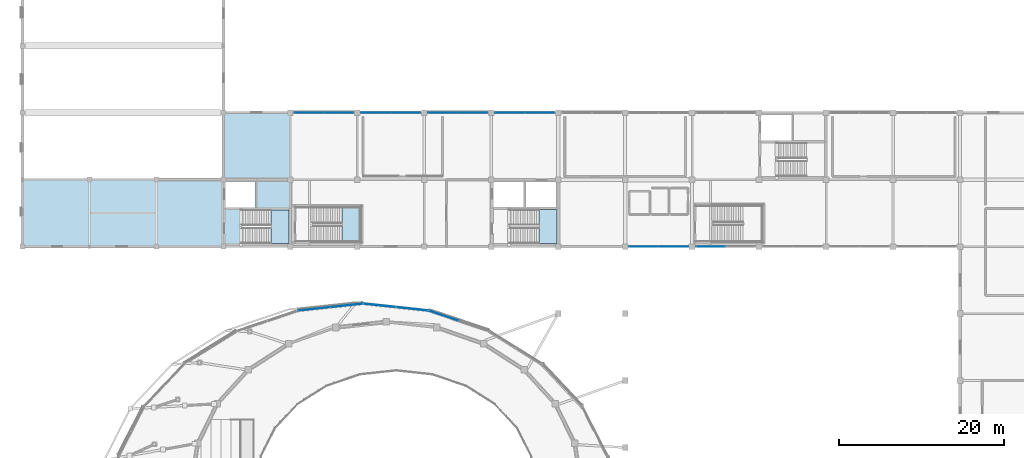
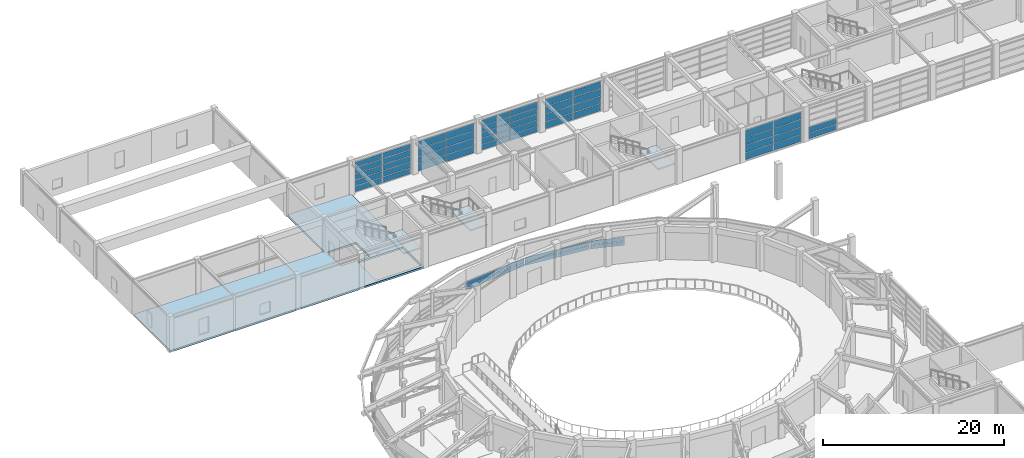
# One storey, part 38 of 58: 56 plates, 4 slabs, 12 elements without a shape of their own.
"""IFC4 building model written with IfcOpenShell, lengths in metres."""

from ifc_helpers import new_model, si_unit, direction, frame, origin, origin_2d, place, context, subcontext, project, spatial, polyline, rectangle, outline, extrude, material, layer, layer_set, type_object, element, aggregate, save


model = new_model("IFC4")

# Units and contexts
model_context = context("Model", 3, precision=1e-05, world=origin(), true_north=direction((0.0, 1.0)))
body_context = subcontext(model_context, "Body", "Model", "MODEL_VIEW")
ifc_project = project(units=[si_unit("LENGTHUNIT", "METRE"), si_unit("AREAUNIT", "SQUARE_METRE"), si_unit("VOLUMEUNIT", "CUBIC_METRE"), si_unit("PLANEANGLEUNIT", "RADIAN"), si_unit("MASSUNIT", "GRAM", prefix="KILO")], contexts=[model_context])

# Site, building, storey
site_placement = place(None, origin())
site = spatial("IfcSite", under=ifc_project, at=site_placement, CompositionType="ELEMENT")
building_placement = place(site_placement, origin())
building = spatial("IfcBuilding", under=site, at=building_placement, Name="Parian Resonance Hall", CompositionType="ELEMENT")
storey_placement = place(building_placement, frame((0.0, 0.0, 10.199951171875)))
storey = spatial("IfcBuildingStorey", under=building, at=storey_placement, Name="L02", CompositionType="ELEMENT", Elevation=10.199951171875)

# Curtain wall, plates
ifc_material_1 = material(Name="Bronze-anodised aluminium frame", Category="aluminium")
curtain_wall_type_1 = type_object("IfcCurtainWallType", Name="CW-SYS-02", PredefinedType="NOTDEFINED", material=ifc_material_1)
curtain_wall_1_placement = place(storey_placement, origin())
curtain_wall_1 = element("IfcCurtainWall", 1, at=curtain_wall_1_placement, inside=storey, type_object=curtain_wall_type_1, Name="Elliptical R2 recessed strip curtain wall 07", PredefinedType="NOTDEFINED")
ifc_material_2 = material(Name="Acoustic laminated double glazing", Category="glass")
ifc_layer_1 = layer(ifc_material_2, 0.02197265625)
ifc_layer_set_1 = layer_set([ifc_layer_1], Name="Acoustic laminated double glazing")
plate_type_1 = type_object("IfcPlateType", Name="CWP-IGU22", PredefinedType="CURTAIN_PANEL", material=ifc_layer_set_1)
plate_1_placement = place(storey_placement, frame((35.276123046875, 65.367919921875, 1.20703125), z_axis=(0.0, 0.0, 1.0), x_axis=(0.994356410662, 0.106091133346, 0.0)))
plate_1 = element("IfcPlate", 2, at=plate_1_placement, type_object=plate_type_1, Name="CW-02 panel 1.1", PredefinedType="CURTAIN_PANEL", context=body_context, shape_type="SweptSolid", body=[
    extrude(rectangle(XDim=3.885009765625, YDim=0.02197265625, at=origin_2d()), origin(), (0.0, 0.0, 1.0), 0.510498046875),
])
plate_2_placement = place(storey_placement, frame((35.276123046875, 65.367919921875, 1.78271484375), z_axis=(0.0, 0.0, 1.0), x_axis=(0.994356410662, 0.106091133346, 0.0)))
plate_2 = element("IfcPlate", 3, at=plate_2_placement, type_object=plate_type_1, Name="CW-02 panel 1.2", PredefinedType="CURTAIN_PANEL", context=body_context, shape_type="SweptSolid", body=[
    extrude(rectangle(XDim=3.885009765625, YDim=0.02197265625, at=origin_2d()), origin(), (0.0, 0.0, 1.0), 0.512451171875),
])
plate_3_placement = place(storey_placement, frame((39.203857421875, 65.787109375, 1.20703125), z_axis=(0.0, 0.0, 1.0), x_axis=(0.994356410662, 0.106091133346, 0.0)))
plate_3 = element("IfcPlate", 4, at=plate_3_placement, type_object=plate_type_1, Name="CW-02 panel 2.1", PredefinedType="CURTAIN_PANEL", context=body_context, shape_type="SweptSolid", body=[
    extrude(rectangle(XDim=3.885009765625, YDim=0.02197265625, at=origin_2d()), origin(), (0.0, 0.0, 1.0), 0.510498046875),
])
plate_4_placement = place(storey_placement, frame((39.203857421875, 65.787109375, 1.78271484375), z_axis=(0.0, 0.0, 1.0), x_axis=(0.994356410662, 0.106091133346, 0.0)))
plate_4 = element("IfcPlate", 5, at=plate_4_placement, type_object=plate_type_1, Name="CW-02 panel 2.2", PredefinedType="CURTAIN_PANEL", context=body_context, shape_type="SweptSolid", body=[
    extrude(rectangle(XDim=3.885009765625, YDim=0.02197265625, at=origin_2d()), origin(), (0.0, 0.0, 1.0), 0.512451171875),
])
aggregate(curtain_wall_1, [plate_1, plate_2, plate_3, plate_4])

ifc_material_3 = material(Name="Bronze-anodised aluminium frame", Category="aluminium")
curtain_wall_type_2 = type_object("IfcCurtainWallType", Name="CW-SYS-06", PredefinedType="NOTDEFINED", material=ifc_material_3)
curtain_wall_2_placement = place(storey_placement, origin())
curtain_wall_2 = element("IfcCurtainWall", 6, at=curtain_wall_2_placement, inside=storey, type_object=curtain_wall_type_2, Name="Curtain wall CW-L02-078", PredefinedType="NOTDEFINED")
plate_5_placement = place(storey_placement, frame((34.65869140625, 89.10009765625, 0.06689453125), z_axis=(0.0, 0.0, 1.0), x_axis=(1.0, 0.0, 0.0)))
plate_5 = element("IfcPlate", 7, at=plate_5_placement, type_object=plate_type_1, Name="CW-06 panel 1.1", PredefinedType="CURTAIN_PANEL", context=body_context, shape_type="SweptSolid", body=[
    extrude(rectangle(XDim=3.507568359375, YDim=0.02197265625, at=origin_2d()), origin(), (0.0, 0.0, 1.0), 0.722900390625),
])
plate_6_placement = place(storey_placement, frame((34.65869140625, 89.10009765625, 0.864990234375), z_axis=(0.0, 0.0, 1.0), x_axis=(1.0, 0.0, 0.0)))
plate_6 = element("IfcPlate", 8, at=plate_6_placement, type_object=plate_type_1, Name="CW-06 panel 1.2", PredefinedType="CURTAIN_PANEL", context=body_context, shape_type="SweptSolid", body=[
    extrude(rectangle(XDim=3.507568359375, YDim=0.02197265625, at=origin_2d()), origin(), (0.0, 0.0, 1.0), 0.75244140625),
])
plate_7_placement = place(storey_placement, frame((34.65869140625, 89.10009765625, 1.6923828125), z_axis=(0.0, 0.0, 1.0), x_axis=(1.0, 0.0, 0.0)))
plate_7 = element("IfcPlate", 9, at=plate_7_placement, type_object=plate_type_1, Name="CW-06 panel 1.3", PredefinedType="CURTAIN_PANEL", context=body_context, shape_type="SweptSolid", body=[
    extrude(rectangle(XDim=3.507568359375, YDim=0.02197265625, at=origin_2d()), origin(), (0.0, 0.0, 1.0), 0.75244140625),
])
plate_8_placement = place(storey_placement, frame((34.65869140625, 89.10009765625, 2.519775390625), z_axis=(0.0, 0.0, 1.0), x_axis=(1.0, 0.0, 0.0)))
plate_8 = element("IfcPlate", 10, at=plate_8_placement, type_object=plate_type_1, Name="CW-06 panel 1.4", PredefinedType="CURTAIN_PANEL", context=body_context, shape_type="SweptSolid", body=[
    extrude(rectangle(XDim=3.507568359375, YDim=0.02197265625, at=origin_2d()), origin(), (0.0, 0.0, 1.0), 0.75244140625),
])
plate_9_placement = place(storey_placement, frame((34.65869140625, 89.10009765625, 3.34716796875), z_axis=(0.0, 0.0, 1.0), x_axis=(1.0, 0.0, 0.0)))
plate_9 = element("IfcPlate", 11, at=plate_9_placement, type_object=plate_type_1, Name="CW-06 panel 1.5", PredefinedType="CURTAIN_PANEL", context=body_context, shape_type="SweptSolid", body=[
    extrude(rectangle(XDim=3.507568359375, YDim=0.02197265625, at=origin_2d()), origin(), (0.0, 0.0, 1.0), 0.724853515625),
])
plate_10_placement = place(storey_placement, frame((38.2412109375, 89.10009765625, 0.06689453125), z_axis=(0.0, 0.0, 1.0), x_axis=(1.0, 0.0, 0.0)))
plate_10 = element("IfcPlate", 12, at=plate_10_placement, type_object=plate_type_1, Name="CW-06 panel 2.1", PredefinedType="CURTAIN_PANEL", context=body_context, shape_type="SweptSolid", body=[
    extrude(rectangle(XDim=3.507568359375, YDim=0.02197265625, at=origin_2d()), origin(), (0.0, 0.0, 1.0), 0.722900390625),
])
plate_11_placement = place(storey_placement, frame((38.2412109375, 89.10009765625, 0.864990234375), z_axis=(0.0, 0.0, 1.0), x_axis=(1.0, 0.0, 0.0)))
plate_11 = element("IfcPlate", 13, at=plate_11_placement, type_object=plate_type_1, Name="CW-06 panel 2.2", PredefinedType="CURTAIN_PANEL", context=body_context, shape_type="SweptSolid", body=[
    extrude(rectangle(XDim=3.507568359375, YDim=0.02197265625, at=origin_2d()), origin(), (0.0, 0.0, 1.0), 0.75244140625),
])
plate_12_placement = place(storey_placement, frame((38.2412109375, 89.10009765625, 1.6923828125), z_axis=(0.0, 0.0, 1.0), x_axis=(1.0, 0.0, 0.0)))
plate_12 = element("IfcPlate", 14, at=plate_12_placement, type_object=plate_type_1, Name="CW-06 panel 2.3", PredefinedType="CURTAIN_PANEL", context=body_context, shape_type="SweptSolid", body=[
    extrude(rectangle(XDim=3.507568359375, YDim=0.02197265625, at=origin_2d()), origin(), (0.0, 0.0, 1.0), 0.75244140625),
])
plate_13_placement = place(storey_placement, frame((38.2412109375, 89.10009765625, 2.519775390625), z_axis=(0.0, 0.0, 1.0), x_axis=(1.0, 0.0, 0.0)))
plate_13 = element("IfcPlate", 15, at=plate_13_placement, type_object=plate_type_1, Name="CW-06 panel 2.4", PredefinedType="CURTAIN_PANEL", context=body_context, shape_type="SweptSolid", body=[
    extrude(rectangle(XDim=3.507568359375, YDim=0.02197265625, at=origin_2d()), origin(), (0.0, 0.0, 1.0), 0.75244140625),
])
plate_14_placement = place(storey_placement, frame((38.2412109375, 89.10009765625, 3.34716796875), z_axis=(0.0, 0.0, 1.0), x_axis=(1.0, 0.0, 0.0)))
plate_14 = element("IfcPlate", 16, at=plate_14_placement, type_object=plate_type_1, Name="CW-06 panel 2.5", PredefinedType="CURTAIN_PANEL", context=body_context, shape_type="SweptSolid", body=[
    extrude(rectangle(XDim=3.507568359375, YDim=0.02197265625, at=origin_2d()), origin(), (0.0, 0.0, 1.0), 0.724853515625),
])
aggregate(curtain_wall_2, [plate_5, plate_6, plate_7, plate_8, plate_9, plate_10, plate_11, plate_12, plate_13, plate_14])

ifc_material_4 = material(Name="Bronze-anodised aluminium frame", Category="aluminium")
curtain_wall_type_3 = type_object("IfcCurtainWallType", Name="CW-SYS-01", PredefinedType="NOTDEFINED", material=ifc_material_4)
curtain_wall_3_placement = place(storey_placement, origin())
curtain_wall_3 = element("IfcCurtainWall", 17, at=curtain_wall_3_placement, inside=storey, type_object=curtain_wall_type_3, Name="Curtain wall CW-L02-081", PredefinedType="NOTDEFINED")
plate_15_placement = place(storey_placement, frame((42.75634765625, 89.10009765625, 0.05712890625), z_axis=(0.0, 0.0, 1.0), x_axis=(1.0, 0.0, 0.0)))
plate_15 = element("IfcPlate", 18, at=plate_15_placement, type_object=plate_type_1, Name="CW-01 panel 1.1", PredefinedType="CURTAIN_PANEL", context=body_context, shape_type="SweptSolid", body=[
    extrude(rectangle(XDim=3.5224609375, YDim=0.02197265625, at=origin_2d()), origin(), (0.0, 0.0, 1.0), 0.931640625),
])
plate_16_placement = place(storey_placement, frame((42.75634765625, 89.10009765625, 1.0537109375), z_axis=(0.0, 0.0, 1.0), x_axis=(1.0, 0.0, 0.0)))
plate_16 = element("IfcPlate", 19, at=plate_16_placement, type_object=plate_type_1, Name="CW-01 panel 1.2", PredefinedType="CURTAIN_PANEL", context=body_context, shape_type="SweptSolid", body=[
    extrude(rectangle(XDim=3.5224609375, YDim=0.02197265625, at=origin_2d()), origin(), (0.0, 0.0, 1.0), 0.956298828125),
])
plate_17_placement = place(storey_placement, frame((42.75634765625, 89.10009765625, 2.0751953125), z_axis=(0.0, 0.0, 1.0), x_axis=(1.0, 0.0, 0.0)))
plate_17 = element("IfcPlate", 20, at=plate_17_placement, type_object=plate_type_1, Name="CW-01 panel 1.3", PredefinedType="CURTAIN_PANEL", context=body_context, shape_type="SweptSolid", body=[
    extrude(rectangle(XDim=3.5224609375, YDim=0.02197265625, at=origin_2d()), origin(), (0.0, 0.0, 1.0), 0.956298828125),
])
plate_18_placement = place(storey_placement, frame((42.75634765625, 89.10009765625, 3.09619140625), z_axis=(0.0, 0.0, 1.0), x_axis=(1.0, 0.0, 0.0)))
plate_18 = element("IfcPlate", 21, at=plate_18_placement, type_object=plate_type_1, Name="CW-01 panel 1.4", PredefinedType="CURTAIN_PANEL", context=body_context, shape_type="SweptSolid", body=[
    extrude(rectangle(XDim=3.5224609375, YDim=0.02197265625, at=origin_2d()), origin(), (0.0, 0.0, 1.0), 0.933837890625),
])
plate_19_placement = place(storey_placement, frame((46.34375, 89.10009765625, 0.05712890625), z_axis=(0.0, 0.0, 1.0), x_axis=(1.0, 0.0, 0.0)))
plate_19 = element("IfcPlate", 22, at=plate_19_placement, type_object=plate_type_1, Name="CW-01 panel 2.1", PredefinedType="CURTAIN_PANEL", context=body_context, shape_type="SweptSolid", body=[
    extrude(rectangle(XDim=3.5224609375, YDim=0.02197265625, at=origin_2d()), origin(), (0.0, 0.0, 1.0), 0.931640625),
])
plate_20_placement = place(storey_placement, frame((46.34375, 89.10009765625, 1.0537109375), z_axis=(0.0, 0.0, 1.0), x_axis=(1.0, 0.0, 0.0)))
plate_20 = element("IfcPlate", 23, at=plate_20_placement, type_object=plate_type_1, Name="CW-01 panel 2.2", PredefinedType="CURTAIN_PANEL", context=body_context, shape_type="SweptSolid", body=[
    extrude(rectangle(XDim=3.5224609375, YDim=0.02197265625, at=origin_2d()), origin(), (0.0, 0.0, 1.0), 0.956298828125),
])
plate_21_placement = place(storey_placement, frame((46.34375, 89.10009765625, 2.0751953125), z_axis=(0.0, 0.0, 1.0), x_axis=(1.0, 0.0, 0.0)))
plate_21 = element("IfcPlate", 24, at=plate_21_placement, type_object=plate_type_1, Name="CW-01 panel 2.3", PredefinedType="CURTAIN_PANEL", context=body_context, shape_type="SweptSolid", body=[
    extrude(rectangle(XDim=3.5224609375, YDim=0.02197265625, at=origin_2d()), origin(), (0.0, 0.0, 1.0), 0.956298828125),
])
plate_22_placement = place(storey_placement, frame((46.34375, 89.10009765625, 3.09619140625), z_axis=(0.0, 0.0, 1.0), x_axis=(1.0, 0.0, 0.0)))
plate_22 = element("IfcPlate", 25, at=plate_22_placement, type_object=plate_type_1, Name="CW-01 panel 2.4", PredefinedType="CURTAIN_PANEL", context=body_context, shape_type="SweptSolid", body=[
    extrude(rectangle(XDim=3.5224609375, YDim=0.02197265625, at=origin_2d()), origin(), (0.0, 0.0, 1.0), 0.933837890625),
])
aggregate(curtain_wall_3, [plate_15, plate_16, plate_17, plate_18, plate_19, plate_20, plate_21, plate_22])

curtain_wall_4_placement = place(storey_placement, origin())
curtain_wall_4 = element("IfcCurtainWall", 26, at=curtain_wall_4_placement, inside=storey, type_object=curtain_wall_type_2, Name="Elliptical R2 recessed strip curtain wall 05", PredefinedType="NOTDEFINED")
ifc_material_5 = material(Name="Acoustic laminated double glazing", Category="glass")
ifc_layer_2 = layer(ifc_material_5, 0.031982421875)
ifc_layer_set_2 = layer_set([ifc_layer_2], Name="Acoustic laminated double glazing")
plate_type_2 = type_object("IfcPlateType", Name="CWP-IGU32", PredefinedType="CURTAIN_PANEL", material=ifc_layer_set_2)
plate_23_placement = place(storey_placement, frame((50.980224609375, 64.530517578125, 1.20703125), z_axis=(0.0, 0.0, 1.0), x_axis=(0.948004171147, -0.318257900904, 0.0)))
plate_23 = element("IfcPlate", 27, at=plate_23_placement, type_object=plate_type_2, Name="CW-06 panel 1.1", PredefinedType="CURTAIN_PANEL", context=body_context, shape_type="SweptSolid", body=[
    extrude(rectangle(XDim=3.794921875, YDim=0.031982421875, at=origin_2d()), origin(), (0.0, 0.0, 1.0), 0.510498046875),
])
plate_24_placement = place(storey_placement, frame((50.980224609375, 64.530517578125, 1.78271484375), z_axis=(0.0, 0.0, 1.0), x_axis=(0.948004171147, -0.318257900904, 0.0)))
plate_24 = element("IfcPlate", 28, at=plate_24_placement, type_object=plate_type_2, Name="CW-06 panel 1.2", PredefinedType="CURTAIN_PANEL", context=body_context, shape_type="SweptSolid", body=[
    extrude(rectangle(XDim=3.794921875, YDim=0.031982421875, at=origin_2d()), origin(), (0.0, 0.0, 1.0), 0.512451171875),
])
aggregate(curtain_wall_4, [plate_23, plate_24])

curtain_wall_5_placement = place(storey_placement, origin())
curtain_wall_5 = element("IfcCurtainWall", 29, at=curtain_wall_5_placement, inside=storey, type_object=curtain_wall_type_1, Name="Curtain wall CW-L02-085", PredefinedType="NOTDEFINED")
plate_25_placement = place(storey_placement, frame((50.856201171875, 89.10009765625, 0.05712890625), z_axis=(0.0, 0.0, 1.0), x_axis=(1.0, 0.0, 0.0)))
plate_25 = element("IfcPlate", 30, at=plate_25_placement, type_object=plate_type_2, Name="CW-02 panel 1.1", PredefinedType="CURTAIN_PANEL", context=body_context, shape_type="SweptSolid", body=[
    extrude(rectangle(XDim=3.5224609375, YDim=0.031982421875, at=origin_2d()), origin(), (0.0, 0.0, 1.0), 0.73779296875),
])
plate_26_placement = place(storey_placement, frame((50.856201171875, 89.10009765625, 0.85986328125), z_axis=(0.0, 0.0, 1.0), x_axis=(1.0, 0.0, 0.0)))
plate_26 = element("IfcPlate", 31, at=plate_26_placement, type_object=plate_type_2, Name="CW-02 panel 1.2", PredefinedType="CURTAIN_PANEL", context=body_context, shape_type="SweptSolid", body=[
    extrude(rectangle(XDim=3.5224609375, YDim=0.031982421875, at=origin_2d()), origin(), (0.0, 0.0, 1.0), 0.762451171875),
])
plate_27_placement = place(storey_placement, frame((50.856201171875, 89.10009765625, 1.6875), z_axis=(0.0, 0.0, 1.0), x_axis=(1.0, 0.0, 0.0)))
plate_27 = element("IfcPlate", 32, at=plate_27_placement, type_object=plate_type_2, Name="CW-02 panel 1.3", PredefinedType="CURTAIN_PANEL", context=body_context, shape_type="SweptSolid", body=[
    extrude(rectangle(XDim=3.5224609375, YDim=0.031982421875, at=origin_2d()), origin(), (0.0, 0.0, 1.0), 0.762451171875),
])
plate_28_placement = place(storey_placement, frame((50.856201171875, 89.10009765625, 2.5146484375), z_axis=(0.0, 0.0, 1.0), x_axis=(1.0, 0.0, 0.0)))
plate_28 = element("IfcPlate", 33, at=plate_28_placement, type_object=plate_type_2, Name="CW-02 panel 1.4", PredefinedType="CURTAIN_PANEL", context=body_context, shape_type="SweptSolid", body=[
    extrude(rectangle(XDim=3.5224609375, YDim=0.031982421875, at=origin_2d()), origin(), (0.0, 0.0, 1.0), 0.762451171875),
])
plate_29_placement = place(storey_placement, frame((50.856201171875, 89.10009765625, 3.34228515625), z_axis=(0.0, 0.0, 1.0), x_axis=(1.0, 0.0, 0.0)))
plate_29 = element("IfcPlate", 34, at=plate_29_placement, type_object=plate_type_2, Name="CW-02 panel 1.5", PredefinedType="CURTAIN_PANEL", context=body_context, shape_type="SweptSolid", body=[
    extrude(rectangle(XDim=3.5224609375, YDim=0.031982421875, at=origin_2d()), origin(), (0.0, 0.0, 1.0), 0.739990234375),
])
plate_30_placement = place(storey_placement, frame((54.44384765625, 89.10009765625, 0.05712890625), z_axis=(0.0, 0.0, 1.0), x_axis=(1.0, 0.0, 0.0)))
plate_30 = element("IfcPlate", 35, at=plate_30_placement, type_object=plate_type_2, Name="CW-02 panel 2.1", PredefinedType="CURTAIN_PANEL", context=body_context, shape_type="SweptSolid", body=[
    extrude(rectangle(XDim=3.5224609375, YDim=0.031982421875, at=origin_2d()), origin(), (0.0, 0.0, 1.0), 0.73779296875),
])
plate_31_placement = place(storey_placement, frame((54.44384765625, 89.10009765625, 0.85986328125), z_axis=(0.0, 0.0, 1.0), x_axis=(1.0, 0.0, 0.0)))
plate_31 = element("IfcPlate", 36, at=plate_31_placement, type_object=plate_type_2, Name="CW-02 panel 2.2", PredefinedType="CURTAIN_PANEL", context=body_context, shape_type="SweptSolid", body=[
    extrude(rectangle(XDim=3.5224609375, YDim=0.031982421875, at=origin_2d()), origin(), (0.0, 0.0, 1.0), 0.762451171875),
])
plate_32_placement = place(storey_placement, frame((54.44384765625, 89.10009765625, 1.6875), z_axis=(0.0, 0.0, 1.0), x_axis=(1.0, 0.0, 0.0)))
plate_32 = element("IfcPlate", 37, at=plate_32_placement, type_object=plate_type_2, Name="CW-02 panel 2.3", PredefinedType="CURTAIN_PANEL", context=body_context, shape_type="SweptSolid", body=[
    extrude(rectangle(XDim=3.5224609375, YDim=0.031982421875, at=origin_2d()), origin(), (0.0, 0.0, 1.0), 0.762451171875),
])
plate_33_placement = place(storey_placement, frame((54.44384765625, 89.10009765625, 2.5146484375), z_axis=(0.0, 0.0, 1.0), x_axis=(1.0, 0.0, 0.0)))
plate_33 = element("IfcPlate", 38, at=plate_33_placement, type_object=plate_type_2, Name="CW-02 panel 2.4", PredefinedType="CURTAIN_PANEL", context=body_context, shape_type="SweptSolid", body=[
    extrude(rectangle(XDim=3.5224609375, YDim=0.031982421875, at=origin_2d()), origin(), (0.0, 0.0, 1.0), 0.762451171875),
])
plate_34_placement = place(storey_placement, frame((54.44384765625, 89.10009765625, 3.34228515625), z_axis=(0.0, 0.0, 1.0), x_axis=(1.0, 0.0, 0.0)))
plate_34 = element("IfcPlate", 39, at=plate_34_placement, type_object=plate_type_2, Name="CW-02 panel 2.5", PredefinedType="CURTAIN_PANEL", context=body_context, shape_type="SweptSolid", body=[
    extrude(rectangle(XDim=3.5224609375, YDim=0.031982421875, at=origin_2d()), origin(), (0.0, 0.0, 1.0), 0.739990234375),
])
aggregate(curtain_wall_5, [plate_25, plate_26, plate_27, plate_28, plate_29, plate_30, plate_31, plate_32, plate_33, plate_34])

ifc_material_6 = material(Name="Bronze-anodised aluminium frame", Category="aluminium")
curtain_wall_type_4 = type_object("IfcCurtainWallType", Name="CW-SYS-03", PredefinedType="NOTDEFINED", material=ifc_material_6)
curtain_wall_6_placement = place(storey_placement, origin())
curtain_wall_6 = element("IfcCurtainWall", 40, at=curtain_wall_6_placement, inside=storey, type_object=curtain_wall_type_4, Name="Curtain wall CW-L02-088", PredefinedType="NOTDEFINED")
plate_35_placement = place(storey_placement, frame((58.958740234375, 89.10009765625, 0.06689453125), z_axis=(0.0, 0.0, 1.0), x_axis=(1.0, 0.0, 0.0)))
plate_35 = element("IfcPlate", 41, at=plate_35_placement, type_object=plate_type_2, Name="CW-03 panel 1.1", PredefinedType="CURTAIN_PANEL", context=body_context, shape_type="SweptSolid", body=[
    extrude(rectangle(XDim=3.507568359375, YDim=0.031982421875, at=origin_2d()), origin(), (0.0, 0.0, 1.0), 0.916748046875),
])
plate_36_placement = place(storey_placement, frame((58.958740234375, 89.10009765625, 1.058837890625), z_axis=(0.0, 0.0, 1.0), x_axis=(1.0, 0.0, 0.0)))
plate_36 = element("IfcPlate", 42, at=plate_36_placement, type_object=plate_type_2, Name="CW-03 panel 1.2", PredefinedType="CURTAIN_PANEL", context=body_context, shape_type="SweptSolid", body=[
    extrude(rectangle(XDim=3.507568359375, YDim=0.031982421875, at=origin_2d()), origin(), (0.0, 0.0, 1.0), 0.9462890625),
])
plate_37_placement = place(storey_placement, frame((58.958740234375, 89.10009765625, 2.080078125), z_axis=(0.0, 0.0, 1.0), x_axis=(1.0, 0.0, 0.0)))
plate_37 = element("IfcPlate", 43, at=plate_37_placement, type_object=plate_type_2, Name="CW-03 panel 1.3", PredefinedType="CURTAIN_PANEL", context=body_context, shape_type="SweptSolid", body=[
    extrude(rectangle(XDim=3.507568359375, YDim=0.031982421875, at=origin_2d()), origin(), (0.0, 0.0, 1.0), 0.9462890625),
])
plate_38_placement = place(storey_placement, frame((58.958740234375, 89.10009765625, 3.10107421875), z_axis=(0.0, 0.0, 1.0), x_axis=(1.0, 0.0, 0.0)))
plate_38 = element("IfcPlate", 44, at=plate_38_placement, type_object=plate_type_2, Name="CW-03 panel 1.4", PredefinedType="CURTAIN_PANEL", context=body_context, shape_type="SweptSolid", body=[
    extrude(rectangle(XDim=3.507568359375, YDim=0.031982421875, at=origin_2d()), origin(), (0.0, 0.0, 1.0), 0.918701171875),
])
plate_39_placement = place(storey_placement, frame((62.541259765625, 89.10009765625, 0.06689453125), z_axis=(0.0, 0.0, 1.0), x_axis=(1.0, 0.0, 0.0)))
plate_39 = element("IfcPlate", 45, at=plate_39_placement, type_object=plate_type_2, Name="CW-03 panel 2.1", PredefinedType="CURTAIN_PANEL", context=body_context, shape_type="SweptSolid", body=[
    extrude(rectangle(XDim=3.507568359375, YDim=0.031982421875, at=origin_2d()), origin(), (0.0, 0.0, 1.0), 0.916748046875),
])
plate_40_placement = place(storey_placement, frame((62.541259765625, 89.10009765625, 1.058837890625), z_axis=(0.0, 0.0, 1.0), x_axis=(1.0, 0.0, 0.0)))
plate_40 = element("IfcPlate", 46, at=plate_40_placement, type_object=plate_type_2, Name="CW-03 panel 2.2", PredefinedType="CURTAIN_PANEL", context=body_context, shape_type="SweptSolid", body=[
    extrude(rectangle(XDim=3.507568359375, YDim=0.031982421875, at=origin_2d()), origin(), (0.0, 0.0, 1.0), 0.9462890625),
])
plate_41_placement = place(storey_placement, frame((62.541259765625, 89.10009765625, 2.080078125), z_axis=(0.0, 0.0, 1.0), x_axis=(1.0, 0.0, 0.0)))
plate_41 = element("IfcPlate", 47, at=plate_41_placement, type_object=plate_type_2, Name="CW-03 panel 2.3", PredefinedType="CURTAIN_PANEL", context=body_context, shape_type="SweptSolid", body=[
    extrude(rectangle(XDim=3.507568359375, YDim=0.031982421875, at=origin_2d()), origin(), (0.0, 0.0, 1.0), 0.9462890625),
])
plate_42_placement = place(storey_placement, frame((62.541259765625, 89.10009765625, 3.10107421875), z_axis=(0.0, 0.0, 1.0), x_axis=(1.0, 0.0, 0.0)))
plate_42 = element("IfcPlate", 48, at=plate_42_placement, type_object=plate_type_2, Name="CW-03 panel 2.4", PredefinedType="CURTAIN_PANEL", context=body_context, shape_type="SweptSolid", body=[
    extrude(rectangle(XDim=3.507568359375, YDim=0.031982421875, at=origin_2d()), origin(), (0.0, 0.0, 1.0), 0.918701171875),
])
aggregate(curtain_wall_6, [plate_35, plate_36, plate_37, plate_38, plate_39, plate_40, plate_41, plate_42])

curtain_wall_7_placement = place(storey_placement, origin())
curtain_wall_7 = element("IfcCurtainWall", 49, at=curtain_wall_7_placement, inside=storey, type_object=curtain_wall_type_3, Name="Elliptical R2 recessed strip curtain wall 06", PredefinedType="NOTDEFINED")
ifc_material_7 = material(Name="Acoustic laminated double glazing", Category="glass")
ifc_layer_3 = layer(ifc_material_7, 0.0419921875)
ifc_layer_set_3 = layer_set([ifc_layer_3], Name="Acoustic laminated double glazing")
plate_type_3 = type_object("IfcPlateType", Name="CWP-IGU42", PredefinedType="CURTAIN_PANEL", material=ifc_layer_set_3)
plate_43_placement = place(storey_placement, frame((43.19873046875, 65.786865234375, 1.217041015625), z_axis=(0.0, 0.0, 1.0), x_axis=(0.994356410662, -0.106091133346, 0.0)))
plate_43 = element("IfcPlate", 50, at=plate_43_placement, type_object=plate_type_3, Name="CW-01 panel 1.1", PredefinedType="CURTAIN_PANEL", context=body_context, shape_type="SweptSolid", body=[
    extrude(rectangle(XDim=3.869873046875, YDim=0.0419921875, at=origin_2d()), origin(), (0.0, 0.0, 1.0), 0.49560546875),
])
plate_44_placement = place(storey_placement, frame((43.19873046875, 65.786865234375, 1.78759765625), z_axis=(0.0, 0.0, 1.0), x_axis=(0.994356410662, -0.106091133346, 0.0)))
plate_44 = element("IfcPlate", 51, at=plate_44_placement, type_object=plate_type_3, Name="CW-01 panel 1.2", PredefinedType="CURTAIN_PANEL", context=body_context, shape_type="SweptSolid", body=[
    extrude(rectangle(XDim=3.869873046875, YDim=0.0419921875, at=origin_2d()), origin(), (0.0, 0.0, 1.0), 0.49755859375),
])
plate_45_placement = place(storey_placement, frame((47.121337890625, 65.3681640625, 1.217041015625), z_axis=(0.0, 0.0, 1.0), x_axis=(0.994356410662, -0.106091133346, 0.0)))
plate_45 = element("IfcPlate", 52, at=plate_45_placement, type_object=plate_type_3, Name="CW-01 panel 2.1", PredefinedType="CURTAIN_PANEL", context=body_context, shape_type="SweptSolid", body=[
    extrude(rectangle(XDim=3.869873046875, YDim=0.0419921875, at=origin_2d()), origin(), (0.0, 0.0, 1.0), 0.49560546875),
])
plate_46_placement = place(storey_placement, frame((47.121337890625, 65.3681640625, 1.78759765625), z_axis=(0.0, 0.0, 1.0), x_axis=(0.994356410662, -0.106091133346, 0.0)))
plate_46 = element("IfcPlate", 53, at=plate_46_placement, type_object=plate_type_3, Name="CW-01 panel 2.2", PredefinedType="CURTAIN_PANEL", context=body_context, shape_type="SweptSolid", body=[
    extrude(rectangle(XDim=3.869873046875, YDim=0.0419921875, at=origin_2d()), origin(), (0.0, 0.0, 1.0), 0.49755859375),
])
aggregate(curtain_wall_7, [plate_43, plate_44, plate_45, plate_46])

curtain_wall_8_placement = place(storey_placement, origin())
curtain_wall_8 = element("IfcCurtainWall", 54, at=curtain_wall_8_placement, inside=storey, type_object=curtain_wall_type_2, Name="Curtain wall CW-L02-107", PredefinedType="NOTDEFINED")
plate_47_placement = place(storey_placement, frame((78.74365234375, 72.89990234375, 0.05712890625), z_axis=(0.0, 0.0, 1.0), x_axis=(-1.0, 0.0, 0.0)))
plate_47 = element("IfcPlate", 55, at=plate_47_placement, type_object=plate_type_3, Name="CW-06 panel 1.1", PredefinedType="CURTAIN_PANEL", context=body_context, shape_type="SweptSolid", body=[
    extrude(rectangle(XDim=3.5224609375, YDim=0.0419921875, at=origin_2d()), origin(), (0.0, 0.0, 1.0), 0.931640625),
])
plate_48_placement = place(storey_placement, frame((78.74365234375, 72.89990234375, 1.0537109375), z_axis=(0.0, 0.0, 1.0), x_axis=(-1.0, 0.0, 0.0)))
plate_48 = element("IfcPlate", 56, at=plate_48_placement, type_object=plate_type_3, Name="CW-06 panel 1.2", PredefinedType="CURTAIN_PANEL", context=body_context, shape_type="SweptSolid", body=[
    extrude(rectangle(XDim=3.5224609375, YDim=0.0419921875, at=origin_2d()), origin(), (0.0, 0.0, 1.0), 0.956298828125),
])
plate_49_placement = place(storey_placement, frame((78.74365234375, 72.89990234375, 2.0751953125), z_axis=(0.0, 0.0, 1.0), x_axis=(-1.0, 0.0, 0.0)))
plate_49 = element("IfcPlate", 57, at=plate_49_placement, type_object=plate_type_3, Name="CW-06 panel 1.3", PredefinedType="CURTAIN_PANEL", context=body_context, shape_type="SweptSolid", body=[
    extrude(rectangle(XDim=3.5224609375, YDim=0.0419921875, at=origin_2d()), origin(), (0.0, 0.0, 1.0), 0.956298828125),
])
plate_50_placement = place(storey_placement, frame((78.74365234375, 72.89990234375, 3.09619140625), z_axis=(0.0, 0.0, 1.0), x_axis=(-1.0, 0.0, 0.0)))
plate_50 = element("IfcPlate", 58, at=plate_50_placement, type_object=plate_type_3, Name="CW-06 panel 1.4", PredefinedType="CURTAIN_PANEL", context=body_context, shape_type="SweptSolid", body=[
    extrude(rectangle(XDim=3.5224609375, YDim=0.0419921875, at=origin_2d()), origin(), (0.0, 0.0, 1.0), 0.933837890625),
])
plate_51_placement = place(storey_placement, frame((75.15625, 72.89990234375, 0.05712890625), z_axis=(0.0, 0.0, 1.0), x_axis=(-1.0, 0.0, 0.0)))
plate_51 = element("IfcPlate", 59, at=plate_51_placement, type_object=plate_type_3, Name="CW-06 panel 2.1", PredefinedType="CURTAIN_PANEL", context=body_context, shape_type="SweptSolid", body=[
    extrude(rectangle(XDim=3.5224609375, YDim=0.0419921875, at=origin_2d()), origin(), (0.0, 0.0, 1.0), 0.931640625),
])
plate_52_placement = place(storey_placement, frame((75.15625, 72.89990234375, 1.0537109375), z_axis=(0.0, 0.0, 1.0), x_axis=(-1.0, 0.0, 0.0)))
plate_52 = element("IfcPlate", 60, at=plate_52_placement, type_object=plate_type_3, Name="CW-06 panel 2.2", PredefinedType="CURTAIN_PANEL", context=body_context, shape_type="SweptSolid", body=[
    extrude(rectangle(XDim=3.5224609375, YDim=0.0419921875, at=origin_2d()), origin(), (0.0, 0.0, 1.0), 0.956298828125),
])
plate_53_placement = place(storey_placement, frame((75.15625, 72.89990234375, 2.0751953125), z_axis=(0.0, 0.0, 1.0), x_axis=(-1.0, 0.0, 0.0)))
plate_53 = element("IfcPlate", 61, at=plate_53_placement, type_object=plate_type_3, Name="CW-06 panel 2.3", PredefinedType="CURTAIN_PANEL", context=body_context, shape_type="SweptSolid", body=[
    extrude(rectangle(XDim=3.5224609375, YDim=0.0419921875, at=origin_2d()), origin(), (0.0, 0.0, 1.0), 0.956298828125),
])
plate_54_placement = place(storey_placement, frame((75.15625, 72.89990234375, 3.09619140625), z_axis=(0.0, 0.0, 1.0), x_axis=(-1.0, 0.0, 0.0)))
plate_54 = element("IfcPlate", 62, at=plate_54_placement, type_object=plate_type_3, Name="CW-06 panel 2.4", PredefinedType="CURTAIN_PANEL", context=body_context, shape_type="SweptSolid", body=[
    extrude(rectangle(XDim=3.5224609375, YDim=0.0419921875, at=origin_2d()), origin(), (0.0, 0.0, 1.0), 0.933837890625),
])
aggregate(curtain_wall_8, [plate_47, plate_48, plate_49, plate_50, plate_51, plate_52, plate_53, plate_54])

curtain_wall_9_placement = place(storey_placement, origin())
curtain_wall_9 = element("IfcCurtainWall", 63, at=curtain_wall_9_placement, inside=storey, type_object=curtain_wall_type_3, Name="Curtain wall CW-L02-113", PredefinedType="NOTDEFINED")
plate_55_placement = place(storey_placement, frame((83.25634765625, 72.89990234375, 0.05712890625), z_axis=(0.0, 0.0, 1.0), x_axis=(-1.0, 0.0, 0.0)))
plate_55 = element("IfcPlate", 64, at=plate_55_placement, type_object=plate_type_3, Name="CW-01 panel 2.1", PredefinedType="CURTAIN_PANEL", context=body_context, shape_type="SweptSolid", body=[
    extrude(rectangle(XDim=3.5224609375, YDim=0.0419921875, at=origin_2d()), origin(), (0.0, 0.0, 1.0), 0.73779296875),
])
plate_56_placement = place(storey_placement, frame((83.25634765625, 72.89990234375, 0.85986328125), z_axis=(0.0, 0.0, 1.0), x_axis=(-1.0, 0.0, 0.0)))
plate_56 = element("IfcPlate", 65, at=plate_56_placement, type_object=plate_type_3, Name="CW-01 panel 2.2", PredefinedType="CURTAIN_PANEL", context=body_context, shape_type="SweptSolid", body=[
    extrude(rectangle(XDim=3.5224609375, YDim=0.0419921875, at=origin_2d()), origin(), (0.0, 0.0, 1.0), 0.762451171875),
])
aggregate(curtain_wall_9, [plate_55, plate_56])

# Slab
ifc_material_8 = material(Name="Concrete C35/45", Category="concrete")
ifc_layer_4 = layer(ifc_material_8, 0.239990234375)
ifc_layer_set_4 = layer_set([ifc_layer_4], Name="Concrete C35/45")
slab_type_1 = type_object("IfcSlabType", Name="SLB-FLR-240", PredefinedType="FLOOR", material=ifc_layer_set_4)
slab_1_placement = place(storey_placement, frame((0.0, 0.0, -0.239990234375)))
element("IfcSlab", 66, at=slab_1_placement, inside=storey, type_object=slab_type_1, Name="Chamber pavilion L02 gallery and booth slab", PredefinedType="FLOOR", context=body_context, shape_type="SweptSolid", body=[
    extrude(outline(polyline([(32.39990234375, 89.10009765625), (24.300048828125, 89.10009765625), (24.300048828125, 81.0), (0.0, 81.0), (0.0, 72.89990234375), (32.39990234375, 72.89990234375), (32.39990234375, 89.10009765625)]), holes=[polyline([(26.47509765625, 77.360107421875), (32.219970703125, 77.360107421875), (32.219970703125, 73.300048828125), (26.47509765625, 73.300048828125), (26.47509765625, 77.360107421875)]), polyline([(24.5400390625, 80.699951171875), (28.199951171875, 80.699951171875), (28.199951171875, 77.64990234375), (24.5400390625, 77.64990234375), (24.5400390625, 80.699951171875)])]), origin(), (0.0, 0.0, 1.0), 0.239990234375),
])

# Stair, slab
ifc_material_9 = material(Name="Concrete C40/50", Category="concrete")
stair_type_1 = type_object("IfcStairType", Name="STAIR-FOYER-1550", PredefinedType="HALF_TURN_STAIR", material=ifc_material_9)
stair_1_placement = place(storey_placement, origin())
stair_1 = element("IfcStair", 67, at=stair_1_placement, inside=storey, type_object=stair_type_1, Name="L02 ST-07", PredefinedType="HALF_TURN_STAIR")
ifc_material_10 = material(Name="Concrete C40/50", Category="concrete")
ifc_layer_5 = layer(ifc_material_10, 0.179931640625)
ifc_layer_set_5 = layer_set([ifc_layer_5], Name="Concrete C40/50")
slab_type_2 = type_object("IfcSlabType", Name="SLB-LANDING-180", PredefinedType="LANDING", material=ifc_layer_set_5)
slab_2_placement = place(storey_placement, frame((0.0, 0.0, 2.199951171875)))
slab_2 = element("IfcSlab", 68, at=slab_2_placement, type_object=slab_type_2, Name="ST-07 landing 1", PredefinedType="LANDING", context=body_context, shape_type="SweptSolid", body=[
    extrude(outline(polyline([(38.64990234375, 73.5), (40.889892578125, 73.5), (40.889892578125, 77.679931640625), (38.64990234375, 77.679931640625), (38.64990234375, 73.5)])), origin(), (0.0, 0.0, 1.0), 0.2001953125),
])
aggregate(stair_1, [slab_2])

ifc_material_11 = material(Name="Concrete C40/50", Category="concrete")
stair_type_2 = type_object("IfcStairType", Name="STAIR-CORE-1850", PredefinedType="HALF_TURN_STAIR", material=ifc_material_11)
stair_2_placement = place(storey_placement, origin())
stair_2 = element("IfcStair", 69, at=stair_2_placement, inside=storey, type_object=stair_type_2, Name="L02 ST-01", PredefinedType="HALF_TURN_STAIR")
ifc_material_12 = material(Name="Concrete C40/50", Category="concrete")
ifc_layer_6 = layer(ifc_material_12, 0.199951171875)
ifc_layer_set_6 = layer_set([ifc_layer_6], Name="Concrete C40/50")
slab_type_3 = type_object("IfcSlabType", Name="SLB-LANDING-200", PredefinedType="LANDING", material=ifc_layer_set_6)
slab_3_placement = place(storey_placement, frame((0.0, 0.0, 2.199951171875)))
slab_3 = element("IfcSlab", 70, at=slab_3_placement, type_object=slab_type_3, Name="ST-01 landing 1", PredefinedType="LANDING", context=body_context, shape_type="SweptSolid", body=[
    extrude(outline(polyline([(62.47998046875, 73.300048828125), (64.659912109375, 73.300048828125), (64.659912109375, 77.39990234375), (62.47998046875, 77.39990234375), (62.47998046875, 73.300048828125)])), origin(), (0.0, 0.0, 1.0), 0.2001953125),
])
aggregate(stair_2, [slab_3])

ifc_material_13 = material(Name="Concrete C40/50", Category="concrete")
stair_type_3 = type_object("IfcStairType", Name="STAIR-CORE-1800", PredefinedType="HALF_TURN_STAIR", material=ifc_material_13)
stair_3_placement = place(storey_placement, origin())
stair_3 = element("IfcStair", 71, at=stair_3_placement, inside=storey, type_object=stair_type_3, Name="L02 ST-04", PredefinedType="HALF_TURN_STAIR")
slab_4_placement = place(storey_placement, frame((0.0, 0.0, 2.199951171875)))
slab_4 = element("IfcSlab", 72, at=slab_4_placement, type_object=slab_type_3, Name="ST-04 landing 1", PredefinedType="LANDING", context=body_context, shape_type="SweptSolid", body=[
    extrude(outline(polyline([(30.06005859375, 73.300048828125), (32.219970703125, 73.300048828125), (32.219970703125, 77.360107421875), (30.06005859375, 77.360107421875), (30.06005859375, 73.300048828125)])), origin(), (0.0, 0.0, 1.0), 0.2001953125),
])
aggregate(stair_3, [slab_4])

save(model, "model.ifc")
